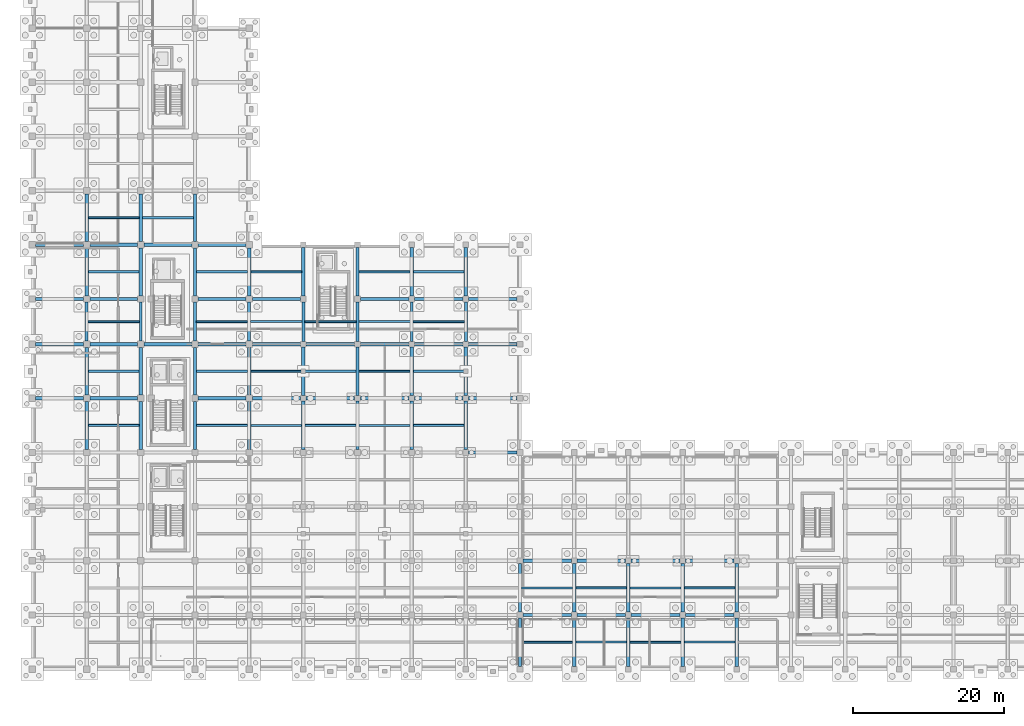
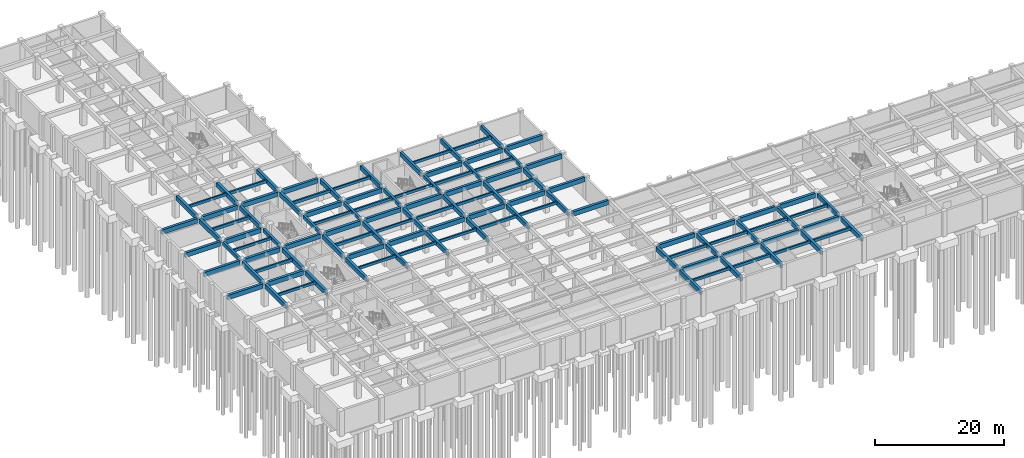
# One storey, part 12 of 28: 115 beams.
"""IFC4 building model written with IfcOpenShell, lengths in metres."""

from ifc_helpers import new_model, si_unit, direction, frame, origin, origin_2d, place, context, subcontext, project, spatial, rectangle, extrude, material, material_profile, profile_set, type_object, element, save


model = new_model("IFC4")

# Units and contexts
model_context = context("Model", 3, precision=1e-05, world=origin(), true_north=direction((0.0, 1.0)))
body_context = subcontext(model_context, "Body", "Model", "MODEL_VIEW")
ifc_project = project(units=[si_unit("LENGTHUNIT", "METRE"), si_unit("AREAUNIT", "SQUARE_METRE"), si_unit("VOLUMEUNIT", "CUBIC_METRE"), si_unit("PLANEANGLEUNIT", "RADIAN"), si_unit("MASSUNIT", "GRAM", prefix="KILO")], contexts=[model_context])

# Site, building, storey
site_placement = place(None, origin())
site = spatial("IfcSite", under=ifc_project, at=site_placement, CompositionType="ELEMENT")
building_placement = place(site_placement, origin())
building = spatial("IfcBuilding", under=site, at=building_placement, Name="Alvorim Cloister Faculty of Sciences", CompositionType="ELEMENT")
storey_placement = place(building_placement, frame((0.0, 0.0, -4.5)))
storey = spatial("IfcBuildingStorey", under=building, at=storey_placement, Name="B01", CompositionType="ELEMENT", Elevation=-4.5)

# Beams
ifc_material = material(Name="Concrete C40", Category="concrete")
ifc_material_profile_1 = material_profile(ifc_material, rectangle(XDim=0.260009765625, YDim=0.5, at=origin_2d()), Name="RC40-JST-260x500")
ifc_profile_set_1 = profile_set([ifc_material_profile_1], Name="Concrete C40")
beam_type_1 = type_object("IfcBeamType", Name="BM-JST-RC-260x500", PredefinedType="JOIST", material=ifc_profile_set_1)
beam_1_placement = place(storey_placement, frame((7.425048828125, 32.39990234375, 3.989990234375), z_axis=(1.0, 0.0, 0.0), x_axis=(0.0, 1.0, 0.0)))
element("IfcBeam", 1, at=beam_1_placement, inside=storey, type_object=beam_type_1, Name="B01 Secondary Floor Joist BM-0494", PredefinedType="JOIST", context=body_context, shape_type="SweptSolid", body=[
    extrude(rectangle(XDim=0.260009765625, YDim=0.5, at=origin_2d()), origin(), (0.0, 0.0, 1.0), 6.75),
])
beam_2_placement = place(storey_placement, frame((7.389892578125, 46.199951171875, 3.989990234375), z_axis=(1.0, 0.0, 0.0), x_axis=(0.0, 1.0, 0.0)))
element("IfcBeam", 2, at=beam_2_placement, inside=storey, type_object=beam_type_1, Name="B01 Secondary Floor Joist BM-0496", PredefinedType="JOIST", context=body_context, shape_type="SweptSolid", body=[
    extrude(rectangle(XDim=0.260009765625, YDim=0.5, at=origin_2d()), origin(), (0.0, 0.0, 1.0), 6.820068359375),
])
for number, where, z_axis, x_axis, name in (
    (3, (7.425048828125, 60.0, 3.989990234375), (1.0, 0.0, 0.0), (0.0, 1.0, 0.0), "B01 Secondary Floor Joist BM-0498"),
    (4, (21.824951171875, 32.39990234375, 3.989990234375), (1.0, 0.0, 0.0), (0.0, 1.0, 0.0), "B01 Secondary Floor Joist BM-0514"),
):
    element("IfcBeam", number, at=place(storey_placement, frame(where, z_axis=z_axis, x_axis=x_axis)), inside=storey, type_object=beam_type_1, Name=name, PredefinedType="JOIST", context=body_context, shape_type="SweptSolid", body=[
        extrude(rectangle(XDim=0.260009765625, YDim=0.5, at=origin_2d()), origin(), (0.0, 0.0, 1.0), 6.75),
    ])
beam_3_placement = place(storey_placement, frame((21.7900390625, 46.199951171875, 3.989990234375), z_axis=(1.0, 0.0, 0.0), x_axis=(0.0, 1.0, 0.0)))
element("IfcBeam", 5, at=beam_3_placement, inside=storey, type_object=beam_type_1, Name="B01 Secondary Floor Joist BM-0516", PredefinedType="JOIST", context=body_context, shape_type="SweptSolid", body=[
    extrude(rectangle(XDim=0.260009765625, YDim=0.5, at=origin_2d()), origin(), (0.0, 0.0, 1.0), 6.820068359375),
])
for number, where, z_axis, x_axis, name in (
    (6, (29.02490234375, 39.60009765625, 3.989990234375), (1.0, 0.0, 0.0), (0.0, 1.0, 0.0), "B01 Secondary Floor Joist BM-0523"),
    (7, (29.02490234375, 52.800048828125, 3.989990234375), (1.0, 0.0, 0.0), (0.0, 1.0, 0.0), "B01 Secondary Floor Joist BM-0525"),
    (8, (36.22509765625, 32.39990234375, 3.989990234375), (1.0, 0.0, 0.0), (0.0, 1.0, 0.0), "B01 Secondary Floor Joist BM-0530"),
):
    element("IfcBeam", number, at=place(storey_placement, frame(where, z_axis=z_axis, x_axis=x_axis)), inside=storey, type_object=beam_type_1, Name=name, PredefinedType="JOIST", context=body_context, shape_type="SweptSolid", body=[
        extrude(rectangle(XDim=0.260009765625, YDim=0.5, at=origin_2d()), origin(), (0.0, 0.0, 1.0), 6.75),
    ])
beam_4_placement = place(storey_placement, frame((36.18994140625, 46.199951171875, 3.989990234375), z_axis=(1.0, 0.0, 0.0), x_axis=(0.0, 1.0, 0.0)))
element("IfcBeam", 9, at=beam_4_placement, inside=storey, type_object=beam_type_1, Name="B01 Secondary Floor Joist BM-0532", PredefinedType="JOIST", context=body_context, shape_type="SweptSolid", body=[
    extrude(rectangle(XDim=0.260009765625, YDim=0.5, at=origin_2d()), origin(), (0.0, 0.0, 1.0), 6.820068359375),
])
for number, where, z_axis, x_axis, name in (
    (10, (43.425048828125, 39.60009765625, 3.989990234375), (1.0, 0.0, 0.0), (0.0, 1.0, 0.0), "B01 Secondary Floor Joist BM-0538"),
    (11, (43.425048828125, 52.800048828125, 3.989990234375), (1.0, 0.0, 0.0), (0.0, 1.0, 0.0), "B01 Secondary Floor Joist BM-0540"),
    (12, (50.625, 32.39990234375, 3.989990234375), (1.0, 0.0, 0.0), (0.0, 1.0, 0.0), "B01 Secondary Floor Joist BM-0545"),
):
    element("IfcBeam", number, at=place(storey_placement, frame(where, z_axis=z_axis, x_axis=x_axis)), inside=storey, type_object=beam_type_1, Name=name, PredefinedType="JOIST", context=body_context, shape_type="SweptSolid", body=[
        extrude(rectangle(XDim=0.260009765625, YDim=0.5, at=origin_2d()), origin(), (0.0, 0.0, 1.0), 6.75),
    ])
beam_5_placement = place(storey_placement, frame((50.590087890625, 46.199951171875, 3.989990234375), z_axis=(1.0, 0.0, 0.0), x_axis=(0.0, 1.0, 0.0)))
element("IfcBeam", 13, at=beam_5_placement, inside=storey, type_object=beam_type_1, Name="B01 Secondary Floor Joist BM-0547", PredefinedType="JOIST", context=body_context, shape_type="SweptSolid", body=[
    extrude(rectangle(XDim=0.260009765625, YDim=0.5, at=origin_2d()), origin(), (0.0, 0.0, 1.0), 6.81982421875),
])
for number, where, z_axis, x_axis, name in (
    (14, (65.02490234375, 3.60009765625, 3.989990234375), (1.0, 0.0, 0.0), (0.0, 1.0, 0.0), "B01 Secondary Floor Joist BM-0553"),
    (15, (72.22509765625, 10.800048828125, 3.989990234375), (1.0, 0.0, 0.0), (0.0, 1.0, 0.0), "B01 Secondary Floor Joist BM-0558"),
    (16, (79.425048828125, 3.60009765625, 3.989990234375), (1.0, 0.0, 0.0), (0.0, 1.0, 0.0), "B01 Secondary Floor Joist BM-0561"),
    (17, (86.625, 10.800048828125, 3.989990234375), (1.0, 0.0, 0.0), (0.0, 1.0, 0.0), "B01 Secondary Floor Joist BM-0566"),
):
    element("IfcBeam", number, at=place(storey_placement, frame(where, z_axis=z_axis, x_axis=x_axis)), inside=storey, type_object=beam_type_1, Name=name, PredefinedType="JOIST", context=body_context, shape_type="SweptSolid", body=[
        extrude(rectangle(XDim=0.260009765625, YDim=0.5, at=origin_2d()), origin(), (0.0, 0.0, 1.0), 6.75),
    ])
ifc_material_profile_2 = material_profile(ifc_material, rectangle(XDim=0.300048828125, YDim=0.550048828125, at=origin_2d()), Name="RC40-JST-300x550")
ifc_profile_set_2 = profile_set([ifc_material_profile_2], Name="Concrete C40")
beam_type_2 = type_object("IfcBeamType", Name="BM-JST-RC-300x550", PredefinedType="JOIST", material=ifc_profile_set_2)
for number, where, z_axis, x_axis, name in (
    (18, (7.425048828125, 39.60009765625, 3.965087890625), (1.0, 0.0, 0.0), (0.0, 1.0, 0.0), "B01 Secondary Floor Joist BM-0495"),
    (19, (7.425048828125, 52.800048828125, 3.965087890625), (1.0, 0.0, 0.0), (0.0, 1.0, 0.0), "B01 Secondary Floor Joist BM-0497"),
    (20, (14.625, 60.0, 3.965087890625), (1.0, 0.0, 0.0), (0.0, 1.0, 0.0), "B01 Secondary Floor Joist BM-0508"),
    (21, (21.824951171875, 39.60009765625, 3.965087890625), (1.0, 0.0, 0.0), (0.0, 1.0, 0.0), "B01 Secondary Floor Joist BM-0515"),
    (22, (21.824951171875, 52.800048828125, 3.965087890625), (1.0, 0.0, 0.0), (0.0, 1.0, 0.0), "B01 Secondary Floor Joist BM-0517"),
    (23, (29.02490234375, 32.39990234375, 3.965087890625), (1.0, 0.0, 0.0), (0.0, 1.0, 0.0), "B01 Secondary Floor Joist BM-0522"),
):
    element("IfcBeam", number, at=place(storey_placement, frame(where, z_axis=z_axis, x_axis=x_axis)), inside=storey, type_object=beam_type_2, Name=name, PredefinedType="JOIST", context=body_context, shape_type="SweptSolid", body=[
        extrude(rectangle(XDim=0.300048828125, YDim=0.550048828125, at=origin_2d()), origin(), (0.0, 0.0, 1.0), 6.75),
    ])
beam_6_placement = place(storey_placement, frame((28.989990234375, 46.199951171875, 3.965087890625), z_axis=(1.0, 0.0, 0.0), x_axis=(0.0, 1.0, 0.0)))
element("IfcBeam", 24, at=beam_6_placement, inside=storey, type_object=beam_type_2, Name="B01 Secondary Floor Joist BM-0524", PredefinedType="JOIST", context=body_context, shape_type="SweptSolid", body=[
    extrude(rectangle(XDim=0.300048828125, YDim=0.550048828125, at=origin_2d()), origin(), (0.0, 0.0, 1.0), 6.820068359375),
])
for number, where, z_axis, x_axis, name in (
    (25, (36.22509765625, 39.60009765625, 3.965087890625), (1.0, 0.0, 0.0), (0.0, 1.0, 0.0), "B01 Secondary Floor Joist BM-0531"),
    (26, (43.425048828125, 32.39990234375, 3.965087890625), (1.0, 0.0, 0.0), (0.0, 1.0, 0.0), "B01 Secondary Floor Joist BM-0537"),
):
    element("IfcBeam", number, at=place(storey_placement, frame(where, z_axis=z_axis, x_axis=x_axis)), inside=storey, type_object=beam_type_2, Name=name, PredefinedType="JOIST", context=body_context, shape_type="SweptSolid", body=[
        extrude(rectangle(XDim=0.300048828125, YDim=0.550048828125, at=origin_2d()), origin(), (0.0, 0.0, 1.0), 6.75),
    ])
beam_7_placement = place(storey_placement, frame((43.389892578125, 46.199951171875, 3.965087890625), z_axis=(1.0, 0.0, 0.0), x_axis=(0.0, 1.0, 0.0)))
element("IfcBeam", 27, at=beam_7_placement, inside=storey, type_object=beam_type_2, Name="B01 Secondary Floor Joist BM-0539", PredefinedType="JOIST", context=body_context, shape_type="SweptSolid", body=[
    extrude(rectangle(XDim=0.300048828125, YDim=0.550048828125, at=origin_2d()), origin(), (0.0, 0.0, 1.0), 6.820068359375),
])
for number, where, z_axis, x_axis, name in (
    (28, (50.625, 39.60009765625, 3.965087890625), (1.0, 0.0, 0.0), (0.0, 1.0, 0.0), "B01 Secondary Floor Joist BM-0546"),
    (29, (50.625, 52.800048828125, 3.965087890625), (1.0, 0.0, 0.0), (0.0, 1.0, 0.0), "B01 Secondary Floor Joist BM-0548"),
    (30, (65.02490234375, 10.800048828125, 3.965087890625), (1.0, 0.0, 0.0), (0.0, 1.0, 0.0), "B01 Secondary Floor Joist BM-0554"),
    (31, (72.22509765625, 3.60009765625, 3.965087890625), (1.0, 0.0, 0.0), (0.0, 1.0, 0.0), "B01 Secondary Floor Joist BM-0557"),
    (32, (79.425048828125, 10.800048828125, 3.965087890625), (1.0, 0.0, 0.0), (0.0, 1.0, 0.0), "B01 Secondary Floor Joist BM-0562"),
    (33, (86.625, 3.60009765625, 3.965087890625), (1.0, 0.0, 0.0), (0.0, 1.0, 0.0), "B01 Secondary Floor Joist BM-0565"),
):
    element("IfcBeam", number, at=place(storey_placement, frame(where, z_axis=z_axis, x_axis=x_axis)), inside=storey, type_object=beam_type_2, Name=name, PredefinedType="JOIST", context=body_context, shape_type="SweptSolid", body=[
        extrude(rectangle(XDim=0.300048828125, YDim=0.550048828125, at=origin_2d()), origin(), (0.0, 0.0, 1.0), 6.75),
    ])
ifc_material_profile_3 = material_profile(ifc_material, rectangle(XDim=0.3798828125, YDim=0.64990234375, at=origin_2d()), Name="RC40-BM-380x650")
ifc_profile_set_3 = profile_set([ifc_material_profile_3], Name="Concrete C40")
beam_type_3 = type_object("IfcBeamType", Name="BM-RC-380x650", PredefinedType="BEAM", material=ifc_profile_set_3)
for number, where, z_axis, x_axis, name in (
    (34, (7.199951171875, 43.625, 3.9150390625), (0.0, 1.0, 0.0), (-1.0, 0.0, 0.0), "B01 Primary Girder BM-0366"),
    (35, (14.39990234375, 43.625, 3.9150390625), (0.0, 1.0, 0.0), (-1.0, 0.0, 0.0), "B01 Primary Girder BM-0382"),
    (36, (21.60009765625, 43.625, 3.9150390625), (0.0, 1.0, 0.0), (-1.0, 0.0, 0.0), "B01 Primary Girder BM-0398"),
    (37, (28.800048828125, 43.625, 3.9150390625), (0.0, 1.0, 0.0), (-1.0, 0.0, 0.0), "B01 Primary Girder BM-0410"),
):
    element("IfcBeam", number, at=place(storey_placement, frame(where, z_axis=z_axis, x_axis=x_axis)), inside=storey, type_object=beam_type_3, Name=name, PredefinedType="BEAM", context=body_context, shape_type="SweptSolid", body=[
        extrude(rectangle(XDim=0.3798828125, YDim=0.64990234375, at=origin_2d()), origin(), (0.0, 0.0, 1.0), 5.14990234375),
    ])
for number, where, z_axis, x_axis, name in (
    (38, (36.0, 43.574951171875, 3.9150390625), (0.0, 1.0, 0.0), (-1.0, 0.0, 0.0), "B01 Primary Girder BM-0418"),
    (39, (43.199951171875, 43.574951171875, 3.9150390625), (0.0, 1.0, 0.0), (-1.0, 0.0, 0.0), "B01 Primary Girder BM-0426"),
    (40, (50.39990234375, 43.574951171875, 3.9150390625), (0.0, 1.0, 0.0), (-1.0, 0.0, 0.0), "B01 Primary Girder BM-0434"),
    (41, (57.60009765625, 43.574951171875, 3.9150390625), (0.0, 1.0, 0.0), (-1.0, 0.0, 0.0), "B01 Primary Girder BM-0442"),
):
    element("IfcBeam", number, at=place(storey_placement, frame(where, z_axis=z_axis, x_axis=x_axis)), inside=storey, type_object=beam_type_3, Name=name, PredefinedType="BEAM", context=body_context, shape_type="SweptSolid", body=[
        extrude(rectangle(XDim=0.3798828125, YDim=0.64990234375, at=origin_2d()), origin(), (0.0, 0.0, 1.0), 5.25),
    ])
ifc_material_profile_4 = material_profile(ifc_material, rectangle(XDim=0.449951171875, YDim=0.85009765625, at=origin_2d()), Name="RC40-BM-450x850")
ifc_profile_set_4 = profile_set([ifc_material_profile_4], Name="Concrete C40")
beam_type_4 = type_object("IfcBeamType", Name="BM-RC-450x850", PredefinedType="BEAM", material=ifc_profile_set_4)
for number, where, z_axis, x_axis, name in (
    (42, (65.175048828125, 7.199951171875, 3.81494140625), (1.0, 0.0, 0.0), (0.0, 1.0, 0.0), "B01 Primary Beam BM-0243"),
    (43, (72.375, 7.199951171875, 3.81494140625), (1.0, 0.0, 0.0), (0.0, 1.0, 0.0), "B01 Primary Beam BM-0244"),
    (44, (79.574951171875, 7.199951171875, 3.81494140625), (1.0, 0.0, 0.0), (0.0, 1.0, 0.0), "B01 Primary Beam BM-0245"),
):
    element("IfcBeam", number, at=place(storey_placement, frame(where, z_axis=z_axis, x_axis=x_axis)), inside=storey, type_object=beam_type_4, Name=name, PredefinedType="BEAM", context=body_context, shape_type="SweptSolid", body=[
        extrude(rectangle(XDim=0.449951171875, YDim=0.85009765625, at=origin_2d()), origin(), (0.0, 0.0, 1.0), 6.449951171875),
    ])
beam_8_placement = place(storey_placement, frame((86.77490234375, 7.199951171875, 3.81494140625), z_axis=(1.0, 0.0, 0.0), x_axis=(0.0, 1.0, 0.0)))
element("IfcBeam", 45, at=beam_8_placement, inside=storey, type_object=beam_type_4, Name="B01 Primary Beam BM-0246", PredefinedType="BEAM", context=body_context, shape_type="SweptSolid", body=[
    extrude(rectangle(XDim=0.449951171875, YDim=0.85009765625, at=origin_2d()), origin(), (0.0, 0.0, 1.0), 6.4501953125),
])
for number, where, z_axis, x_axis, name in (
    (46, (65.175048828125, 14.39990234375, 3.81494140625), (1.0, 0.0, 0.0), (0.0, 1.0, 0.0), "B01 Primary Beam BM-0265"),
    (47, (72.375, 14.39990234375, 3.81494140625), (1.0, 0.0, 0.0), (0.0, 1.0, 0.0), "B01 Primary Beam BM-0266"),
    (48, (79.574951171875, 14.39990234375, 3.81494140625), (1.0, 0.0, 0.0), (0.0, 1.0, 0.0), "B01 Primary Beam BM-0267"),
):
    element("IfcBeam", number, at=place(storey_placement, frame(where, z_axis=z_axis, x_axis=x_axis)), inside=storey, type_object=beam_type_4, Name=name, PredefinedType="BEAM", context=body_context, shape_type="SweptSolid", body=[
        extrude(rectangle(XDim=0.449951171875, YDim=0.85009765625, at=origin_2d()), origin(), (0.0, 0.0, 1.0), 6.449951171875),
    ])
beam_9_placement = place(storey_placement, frame((86.77490234375, 14.39990234375, 3.81494140625), z_axis=(1.0, 0.0, 0.0), x_axis=(0.0, 1.0, 0.0)))
element("IfcBeam", 49, at=beam_9_placement, inside=storey, type_object=beam_type_4, Name="B01 Primary Beam BM-0268", PredefinedType="BEAM", context=body_context, shape_type="SweptSolid", body=[
    extrude(rectangle(XDim=0.449951171875, YDim=0.85009765625, at=origin_2d()), origin(), (0.0, 0.0, 1.0), 6.4501953125),
])
beam_10_placement = place(storey_placement, frame((57.97509765625, 28.800048828125, 3.81494140625), z_axis=(1.0, 0.0, 0.0), x_axis=(0.0, 1.0, 0.0)))
element("IfcBeam", 50, at=beam_10_placement, inside=storey, type_object=beam_type_4, Name="B01 Primary Beam BM-0308", PredefinedType="BEAM", context=body_context, shape_type="SweptSolid", body=[
    extrude(rectangle(XDim=0.449951171875, YDim=0.85009765625, at=origin_2d()), origin(), (0.0, 0.0, 1.0), 6.449951171875),
])
beam_11_placement = place(storey_placement, frame((0.425048828125, 36.0, 3.81494140625), z_axis=(1.0, 0.0, 0.0), x_axis=(0.0, 1.0, 0.0)))
element("IfcBeam", 51, at=beam_11_placement, inside=storey, type_object=beam_type_4, Name="B01 Primary Beam BM-0309", PredefinedType="BEAM", context=body_context, shape_type="SweptSolid", body=[
    extrude(rectangle(XDim=0.449951171875, YDim=0.85009765625, at=origin_2d()), origin(), (0.0, 0.0, 1.0), 6.349853515625),
])
for number, where, z_axis, x_axis, name in (
    (52, (7.625, 36.0, 3.81494140625), (1.0, 0.0, 0.0), (0.0, 1.0, 0.0), "B01 Primary Beam BM-0310"),
    (53, (22.02490234375, 36.0, 3.81494140625), (1.0, 0.0, 0.0), (0.0, 1.0, 0.0), "B01 Primary Beam BM-0311"),
):
    element("IfcBeam", number, at=place(storey_placement, frame(where, z_axis=z_axis, x_axis=x_axis)), inside=storey, type_object=beam_type_4, Name=name, PredefinedType="BEAM", context=body_context, shape_type="SweptSolid", body=[
        extrude(rectangle(XDim=0.449951171875, YDim=0.85009765625, at=origin_2d()), origin(), (0.0, 0.0, 1.0), 6.35009765625),
    ])
beam_12_placement = place(storey_placement, frame((29.22509765625, 36.0, 3.81494140625), z_axis=(1.0, 0.0, 0.0), x_axis=(0.0, 1.0, 0.0)))
element("IfcBeam", 54, at=beam_12_placement, inside=storey, type_object=beam_type_4, Name="B01 Primary Beam BM-0312", PredefinedType="BEAM", context=body_context, shape_type="SweptSolid", body=[
    extrude(rectangle(XDim=0.449951171875, YDim=0.85009765625, at=origin_2d()), origin(), (0.0, 0.0, 1.0), 6.39990234375),
])
for number, where, z_axis, x_axis, name in (
    (55, (36.375, 36.0, 3.81494140625), (1.0, 0.0, 0.0), (0.0, 1.0, 0.0), "B01 Primary Beam BM-0313"),
    (56, (43.574951171875, 36.0, 3.81494140625), (1.0, 0.0, 0.0), (0.0, 1.0, 0.0), "B01 Primary Beam BM-0314"),
):
    element("IfcBeam", number, at=place(storey_placement, frame(where, z_axis=z_axis, x_axis=x_axis)), inside=storey, type_object=beam_type_4, Name=name, PredefinedType="BEAM", context=body_context, shape_type="SweptSolid", body=[
        extrude(rectangle(XDim=0.449951171875, YDim=0.85009765625, at=origin_2d()), origin(), (0.0, 0.0, 1.0), 6.449951171875),
    ])
beam_13_placement = place(storey_placement, frame((50.77490234375, 36.0, 3.81494140625), z_axis=(1.0, 0.0, 0.0), x_axis=(0.0, 1.0, 0.0)))
element("IfcBeam", 57, at=beam_13_placement, inside=storey, type_object=beam_type_4, Name="B01 Primary Beam BM-0315", PredefinedType="BEAM", context=body_context, shape_type="SweptSolid", body=[
    extrude(rectangle(XDim=0.449951171875, YDim=0.85009765625, at=origin_2d()), origin(), (0.0, 0.0, 1.0), 6.4501953125),
])
beam_14_placement = place(storey_placement, frame((57.97509765625, 36.0, 3.81494140625), z_axis=(1.0, 0.0, 0.0), x_axis=(0.0, 1.0, 0.0)))
element("IfcBeam", 58, at=beam_14_placement, inside=storey, type_object=beam_type_4, Name="B01 Primary Beam BM-0316", PredefinedType="BEAM", context=body_context, shape_type="SweptSolid", body=[
    extrude(rectangle(XDim=0.449951171875, YDim=0.85009765625, at=origin_2d()), origin(), (0.0, 0.0, 1.0), 6.449951171875),
])
beam_15_placement = place(storey_placement, frame((0.425048828125, 43.199951171875, 3.81494140625), z_axis=(1.0, 0.0, 0.0), x_axis=(0.0, 1.0, 0.0)))
element("IfcBeam", 59, at=beam_15_placement, inside=storey, type_object=beam_type_4, Name="B01 Primary Beam BM-0317", PredefinedType="BEAM", context=body_context, shape_type="SweptSolid", body=[
    extrude(rectangle(XDim=0.449951171875, YDim=0.85009765625, at=origin_2d()), origin(), (0.0, 0.0, 1.0), 6.349853515625),
])
for number, where, z_axis, x_axis, name in (
    (60, (7.625, 43.199951171875, 3.81494140625), (1.0, 0.0, 0.0), (0.0, 1.0, 0.0), "B01 Primary Beam BM-0318"),
    (61, (14.824951171875, 43.199951171875, 3.81494140625), (1.0, 0.0, 0.0), (0.0, 1.0, 0.0), "B01 Primary Beam BM-0319"),
    (62, (22.02490234375, 43.199951171875, 3.81494140625), (1.0, 0.0, 0.0), (0.0, 1.0, 0.0), "B01 Primary Beam BM-0320"),
):
    element("IfcBeam", number, at=place(storey_placement, frame(where, z_axis=z_axis, x_axis=x_axis)), inside=storey, type_object=beam_type_4, Name=name, PredefinedType="BEAM", context=body_context, shape_type="SweptSolid", body=[
        extrude(rectangle(XDim=0.449951171875, YDim=0.85009765625, at=origin_2d()), origin(), (0.0, 0.0, 1.0), 6.35009765625),
    ])
beam_16_placement = place(storey_placement, frame((29.22509765625, 43.199951171875, 3.81494140625), z_axis=(1.0, 0.0, 0.0), x_axis=(0.0, 1.0, 0.0)))
element("IfcBeam", 63, at=beam_16_placement, inside=storey, type_object=beam_type_4, Name="B01 Primary Beam BM-0321", PredefinedType="BEAM", context=body_context, shape_type="SweptSolid", body=[
    extrude(rectangle(XDim=0.449951171875, YDim=0.85009765625, at=origin_2d()), origin(), (0.0, 0.0, 1.0), 6.39990234375),
])
for number, where, z_axis, x_axis, name in (
    (64, (36.375, 43.199951171875, 3.81494140625), (1.0, 0.0, 0.0), (0.0, 1.0, 0.0), "B01 Primary Beam BM-0322"),
    (65, (43.574951171875, 43.199951171875, 3.81494140625), (1.0, 0.0, 0.0), (0.0, 1.0, 0.0), "B01 Primary Beam BM-0323"),
):
    element("IfcBeam", number, at=place(storey_placement, frame(where, z_axis=z_axis, x_axis=x_axis)), inside=storey, type_object=beam_type_4, Name=name, PredefinedType="BEAM", context=body_context, shape_type="SweptSolid", body=[
        extrude(rectangle(XDim=0.449951171875, YDim=0.85009765625, at=origin_2d()), origin(), (0.0, 0.0, 1.0), 6.449951171875),
    ])
beam_17_placement = place(storey_placement, frame((50.77490234375, 43.199951171875, 3.81494140625), z_axis=(1.0, 0.0, 0.0), x_axis=(0.0, 1.0, 0.0)))
element("IfcBeam", 66, at=beam_17_placement, inside=storey, type_object=beam_type_4, Name="B01 Primary Beam BM-0324", PredefinedType="BEAM", context=body_context, shape_type="SweptSolid", body=[
    extrude(rectangle(XDim=0.449951171875, YDim=0.85009765625, at=origin_2d()), origin(), (0.0, 0.0, 1.0), 6.4501953125),
])
beam_18_placement = place(storey_placement, frame((57.97509765625, 43.199951171875, 3.81494140625), z_axis=(1.0, 0.0, 0.0), x_axis=(0.0, 1.0, 0.0)))
element("IfcBeam", 67, at=beam_18_placement, inside=storey, type_object=beam_type_4, Name="B01 Primary Beam BM-0325", PredefinedType="BEAM", context=body_context, shape_type="SweptSolid", body=[
    extrude(rectangle(XDim=0.449951171875, YDim=0.85009765625, at=origin_2d()), origin(), (0.0, 0.0, 1.0), 6.449951171875),
])
beam_19_placement = place(storey_placement, frame((0.425048828125, 49.199951171875, 3.81494140625), z_axis=(1.0, 0.0, 0.0), x_axis=(0.0, 1.0, 0.0)))
element("IfcBeam", 68, at=beam_19_placement, inside=storey, type_object=beam_type_4, Name="B01 Primary Beam BM-0326", PredefinedType="BEAM", context=body_context, shape_type="SweptSolid", body=[
    extrude(rectangle(XDim=0.449951171875, YDim=0.85009765625, at=origin_2d()), origin(), (0.0, 0.0, 1.0), 6.349853515625),
])
for number, where, z_axis, x_axis, name in (
    (69, (7.625, 49.199951171875, 3.81494140625), (1.0, 0.0, 0.0), (0.0, 1.0, 0.0), "B01 Primary Beam BM-0327"),
    (70, (22.02490234375, 49.199951171875, 3.81494140625), (1.0, 0.0, 0.0), (0.0, 1.0, 0.0), "B01 Primary Beam BM-0328"),
):
    element("IfcBeam", number, at=place(storey_placement, frame(where, z_axis=z_axis, x_axis=x_axis)), inside=storey, type_object=beam_type_4, Name=name, PredefinedType="BEAM", context=body_context, shape_type="SweptSolid", body=[
        extrude(rectangle(XDim=0.449951171875, YDim=0.85009765625, at=origin_2d()), origin(), (0.0, 0.0, 1.0), 6.35009765625),
    ])
beam_20_placement = place(storey_placement, frame((29.22509765625, 49.199951171875, 3.81494140625), z_axis=(1.0, 0.0, 0.0), x_axis=(0.0, 1.0, 0.0)))
element("IfcBeam", 71, at=beam_20_placement, inside=storey, type_object=beam_type_4, Name="B01 Primary Beam BM-0329", PredefinedType="BEAM", context=body_context, shape_type="SweptSolid", body=[
    extrude(rectangle(XDim=0.449951171875, YDim=0.85009765625, at=origin_2d()), origin(), (0.0, 0.0, 1.0), 6.39990234375),
])
beam_21_placement = place(storey_placement, frame((43.574951171875, 49.199951171875, 3.81494140625), z_axis=(1.0, 0.0, 0.0), x_axis=(0.0, 1.0, 0.0)))
element("IfcBeam", 72, at=beam_21_placement, inside=storey, type_object=beam_type_4, Name="B01 Primary Beam BM-0330", PredefinedType="BEAM", context=body_context, shape_type="SweptSolid", body=[
    extrude(rectangle(XDim=0.449951171875, YDim=0.85009765625, at=origin_2d()), origin(), (0.0, 0.0, 1.0), 6.449951171875),
])
beam_22_placement = place(storey_placement, frame((50.77490234375, 49.199951171875, 3.81494140625), z_axis=(1.0, 0.0, 0.0), x_axis=(0.0, 1.0, 0.0)))
element("IfcBeam", 73, at=beam_22_placement, inside=storey, type_object=beam_type_4, Name="B01 Primary Beam BM-0331", PredefinedType="BEAM", context=body_context, shape_type="SweptSolid", body=[
    extrude(rectangle(XDim=0.449951171875, YDim=0.85009765625, at=origin_2d()), origin(), (0.0, 0.0, 1.0), 6.4501953125),
])
beam_23_placement = place(storey_placement, frame((57.97509765625, 49.199951171875, 3.81494140625), z_axis=(1.0, 0.0, 0.0), x_axis=(0.0, 1.0, 0.0)))
element("IfcBeam", 74, at=beam_23_placement, inside=storey, type_object=beam_type_4, Name="B01 Primary Beam BM-0332", PredefinedType="BEAM", context=body_context, shape_type="SweptSolid", body=[
    extrude(rectangle(XDim=0.449951171875, YDim=0.85009765625, at=origin_2d()), origin(), (0.0, 0.0, 1.0), 6.449951171875),
])
beam_24_placement = place(storey_placement, frame((0.425048828125, 56.39990234375, 3.81494140625), z_axis=(1.0, 0.0, 0.0), x_axis=(0.0, 1.0, 0.0)))
element("IfcBeam", 75, at=beam_24_placement, inside=storey, type_object=beam_type_4, Name="B01 Primary Beam BM-0333", PredefinedType="BEAM", context=body_context, shape_type="SweptSolid", body=[
    extrude(rectangle(XDim=0.449951171875, YDim=0.85009765625, at=origin_2d()), origin(), (0.0, 0.0, 1.0), 6.349853515625),
])
for number, where, z_axis, x_axis, name in (
    (76, (7.625, 56.39990234375, 3.81494140625), (1.0, 0.0, 0.0), (0.0, 1.0, 0.0), "B01 Primary Beam BM-0334"),
    (77, (14.824951171875, 56.39990234375, 3.81494140625), (1.0, 0.0, 0.0), (0.0, 1.0, 0.0), "B01 Primary Beam BM-0335"),
    (78, (22.02490234375, 56.39990234375, 3.81494140625), (1.0, 0.0, 0.0), (0.0, 1.0, 0.0), "B01 Primary Beam BM-0336"),
):
    element("IfcBeam", number, at=place(storey_placement, frame(where, z_axis=z_axis, x_axis=x_axis)), inside=storey, type_object=beam_type_4, Name=name, PredefinedType="BEAM", context=body_context, shape_type="SweptSolid", body=[
        extrude(rectangle(XDim=0.449951171875, YDim=0.85009765625, at=origin_2d()), origin(), (0.0, 0.0, 1.0), 6.35009765625),
    ])
for number, where, z_axis, x_axis, name in (
    (79, (7.199951171875, 29.22509765625, 3.81494140625), (0.0, 1.0, 0.0), (-1.0, 0.0, 0.0), "B01 Primary Girder BM-0364"),
    (80, (7.199951171875, 36.425048828125, 3.81494140625), (0.0, 1.0, 0.0), (-1.0, 0.0, 0.0), "B01 Primary Girder BM-0365"),
):
    element("IfcBeam", number, at=place(storey_placement, frame(where, z_axis=z_axis, x_axis=x_axis)), inside=storey, type_object=beam_type_4, Name=name, PredefinedType="BEAM", context=body_context, shape_type="SweptSolid", body=[
        extrude(rectangle(XDim=0.449951171875, YDim=0.85009765625, at=origin_2d()), origin(), (0.0, 0.0, 1.0), 6.349853515625),
    ])
for number, where, z_axis, x_axis, name in (
    (81, (7.199951171875, 49.625, 3.81494140625), (0.0, 1.0, 0.0), (-1.0, 0.0, 0.0), "B01 Primary Girder BM-0367"),
    (82, (7.199951171875, 56.824951171875, 3.81494140625), (0.0, 1.0, 0.0), (-1.0, 0.0, 0.0), "B01 Primary Girder BM-0368"),
):
    element("IfcBeam", number, at=place(storey_placement, frame(where, z_axis=z_axis, x_axis=x_axis)), inside=storey, type_object=beam_type_4, Name=name, PredefinedType="BEAM", context=body_context, shape_type="SweptSolid", body=[
        extrude(rectangle(XDim=0.449951171875, YDim=0.85009765625, at=origin_2d()), origin(), (0.0, 0.0, 1.0), 6.35009765625),
    ])
for number, where, z_axis, x_axis, name in (
    (83, (14.39990234375, 29.22509765625, 3.81494140625), (0.0, 1.0, 0.0), (-1.0, 0.0, 0.0), "B01 Primary Girder BM-0380"),
    (84, (14.39990234375, 36.425048828125, 3.81494140625), (0.0, 1.0, 0.0), (-1.0, 0.0, 0.0), "B01 Primary Girder BM-0381"),
):
    element("IfcBeam", number, at=place(storey_placement, frame(where, z_axis=z_axis, x_axis=x_axis)), inside=storey, type_object=beam_type_4, Name=name, PredefinedType="BEAM", context=body_context, shape_type="SweptSolid", body=[
        extrude(rectangle(XDim=0.449951171875, YDim=0.85009765625, at=origin_2d()), origin(), (0.0, 0.0, 1.0), 6.349853515625),
    ])
for number, where, z_axis, x_axis, name in (
    (85, (14.39990234375, 49.625, 3.81494140625), (0.0, 1.0, 0.0), (-1.0, 0.0, 0.0), "B01 Primary Girder BM-0383"),
    (86, (14.39990234375, 56.824951171875, 3.81494140625), (0.0, 1.0, 0.0), (-1.0, 0.0, 0.0), "B01 Primary Girder BM-0384"),
):
    element("IfcBeam", number, at=place(storey_placement, frame(where, z_axis=z_axis, x_axis=x_axis)), inside=storey, type_object=beam_type_4, Name=name, PredefinedType="BEAM", context=body_context, shape_type="SweptSolid", body=[
        extrude(rectangle(XDim=0.449951171875, YDim=0.85009765625, at=origin_2d()), origin(), (0.0, 0.0, 1.0), 6.35009765625),
    ])
for number, where, z_axis, x_axis, name in (
    (87, (21.60009765625, 29.22509765625, 3.81494140625), (0.0, 1.0, 0.0), (-1.0, 0.0, 0.0), "B01 Primary Girder BM-0396"),
    (88, (21.60009765625, 36.425048828125, 3.81494140625), (0.0, 1.0, 0.0), (-1.0, 0.0, 0.0), "B01 Primary Girder BM-0397"),
):
    element("IfcBeam", number, at=place(storey_placement, frame(where, z_axis=z_axis, x_axis=x_axis)), inside=storey, type_object=beam_type_4, Name=name, PredefinedType="BEAM", context=body_context, shape_type="SweptSolid", body=[
        extrude(rectangle(XDim=0.449951171875, YDim=0.85009765625, at=origin_2d()), origin(), (0.0, 0.0, 1.0), 6.349853515625),
    ])
for number, where, z_axis, x_axis, name in (
    (89, (21.60009765625, 49.625, 3.81494140625), (0.0, 1.0, 0.0), (-1.0, 0.0, 0.0), "B01 Primary Girder BM-0399"),
    (90, (21.60009765625, 56.824951171875, 3.81494140625), (0.0, 1.0, 0.0), (-1.0, 0.0, 0.0), "B01 Primary Girder BM-0400"),
):
    element("IfcBeam", number, at=place(storey_placement, frame(where, z_axis=z_axis, x_axis=x_axis)), inside=storey, type_object=beam_type_4, Name=name, PredefinedType="BEAM", context=body_context, shape_type="SweptSolid", body=[
        extrude(rectangle(XDim=0.449951171875, YDim=0.85009765625, at=origin_2d()), origin(), (0.0, 0.0, 1.0), 6.35009765625),
    ])
for number, where, z_axis, x_axis, name in (
    (91, (28.800048828125, 29.22509765625, 3.81494140625), (0.0, 1.0, 0.0), (-1.0, 0.0, 0.0), "B01 Primary Girder BM-0408"),
    (92, (28.800048828125, 36.425048828125, 3.81494140625), (0.0, 1.0, 0.0), (-1.0, 0.0, 0.0), "B01 Primary Girder BM-0409"),
):
    element("IfcBeam", number, at=place(storey_placement, frame(where, z_axis=z_axis, x_axis=x_axis)), inside=storey, type_object=beam_type_4, Name=name, PredefinedType="BEAM", context=body_context, shape_type="SweptSolid", body=[
        extrude(rectangle(XDim=0.449951171875, YDim=0.85009765625, at=origin_2d()), origin(), (0.0, 0.0, 1.0), 6.349853515625),
    ])
beam_25_placement = place(storey_placement, frame((28.800048828125, 49.625, 3.81494140625), z_axis=(0.0, 1.0, 0.0), x_axis=(-1.0, 0.0, 0.0)))
element("IfcBeam", 93, at=beam_25_placement, inside=storey, type_object=beam_type_4, Name="B01 Primary Girder BM-0411", PredefinedType="BEAM", context=body_context, shape_type="SweptSolid", body=[
    extrude(rectangle(XDim=0.449951171875, YDim=0.85009765625, at=origin_2d()), origin(), (0.0, 0.0, 1.0), 6.35009765625),
])
for number, where, z_axis, x_axis, name in (
    (94, (36.0, 29.175048828125, 3.81494140625), (0.0, 1.0, 0.0), (-1.0, 0.0, 0.0), "B01 Primary Girder BM-0416"),
    (95, (36.0, 36.375, 3.81494140625), (0.0, 1.0, 0.0), (-1.0, 0.0, 0.0), "B01 Primary Girder BM-0417"),
    (96, (36.0, 49.574951171875, 3.81494140625), (0.0, 1.0, 0.0), (-1.0, 0.0, 0.0), "B01 Primary Girder BM-0419"),
    (97, (43.199951171875, 29.175048828125, 3.81494140625), (0.0, 1.0, 0.0), (-1.0, 0.0, 0.0), "B01 Primary Girder BM-0424"),
    (98, (43.199951171875, 36.375, 3.81494140625), (0.0, 1.0, 0.0), (-1.0, 0.0, 0.0), "B01 Primary Girder BM-0425"),
    (99, (43.199951171875, 49.574951171875, 3.81494140625), (0.0, 1.0, 0.0), (-1.0, 0.0, 0.0), "B01 Primary Girder BM-0427"),
    (100, (50.39990234375, 29.175048828125, 3.81494140625), (0.0, 1.0, 0.0), (-1.0, 0.0, 0.0), "B01 Primary Girder BM-0432"),
    (101, (50.39990234375, 36.375, 3.81494140625), (0.0, 1.0, 0.0), (-1.0, 0.0, 0.0), "B01 Primary Girder BM-0433"),
    (102, (50.39990234375, 49.574951171875, 3.81494140625), (0.0, 1.0, 0.0), (-1.0, 0.0, 0.0), "B01 Primary Girder BM-0435"),
    (103, (57.60009765625, 29.175048828125, 3.81494140625), (0.0, 1.0, 0.0), (-1.0, 0.0, 0.0), "B01 Primary Girder BM-0440"),
    (104, (57.60009765625, 36.375, 3.81494140625), (0.0, 1.0, 0.0), (-1.0, 0.0, 0.0), "B01 Primary Girder BM-0441"),
    (105, (57.60009765625, 49.574951171875, 3.81494140625), (0.0, 1.0, 0.0), (-1.0, 0.0, 0.0), "B01 Primary Girder BM-0443"),
    (106, (64.800048828125, 0.375, 3.81494140625), (0.0, 1.0, 0.0), (-1.0, 0.0, 0.0), "B01 Primary Girder BM-0444"),
    (107, (64.800048828125, 7.574951171875, 3.81494140625), (0.0, 1.0, 0.0), (-1.0, 0.0, 0.0), "B01 Primary Girder BM-0445"),
    (108, (72.0, 0.375, 3.81494140625), (0.0, 1.0, 0.0), (-1.0, 0.0, 0.0), "B01 Primary Girder BM-0448"),
    (109, (72.0, 7.574951171875, 3.81494140625), (0.0, 1.0, 0.0), (-1.0, 0.0, 0.0), "B01 Primary Girder BM-0449"),
    (110, (79.199951171875, 0.375, 3.81494140625), (0.0, 1.0, 0.0), (-1.0, 0.0, 0.0), "B01 Primary Girder BM-0452"),
    (111, (79.199951171875, 7.574951171875, 3.81494140625), (0.0, 1.0, 0.0), (-1.0, 0.0, 0.0), "B01 Primary Girder BM-0453"),
    (112, (86.39990234375, 0.375, 3.81494140625), (0.0, 1.0, 0.0), (-1.0, 0.0, 0.0), "B01 Primary Girder BM-0456"),
    (113, (86.39990234375, 7.574951171875, 3.81494140625), (0.0, 1.0, 0.0), (-1.0, 0.0, 0.0), "B01 Primary Girder BM-0457"),
    (114, (93.60009765625, 0.375, 3.81494140625), (0.0, 1.0, 0.0), (-1.0, 0.0, 0.0), "B01 Primary Girder BM-0460"),
    (115, (93.60009765625, 7.574951171875, 3.81494140625), (0.0, 1.0, 0.0), (-1.0, 0.0, 0.0), "B01 Primary Girder BM-0461"),
):
    element("IfcBeam", number, at=place(storey_placement, frame(where, z_axis=z_axis, x_axis=x_axis)), inside=storey, type_object=beam_type_4, Name=name, PredefinedType="BEAM", context=body_context, shape_type="SweptSolid", body=[
        extrude(rectangle(XDim=0.449951171875, YDim=0.85009765625, at=origin_2d()), origin(), (0.0, 0.0, 1.0), 6.449951171875),
    ])

save(model, "model.ifc")
